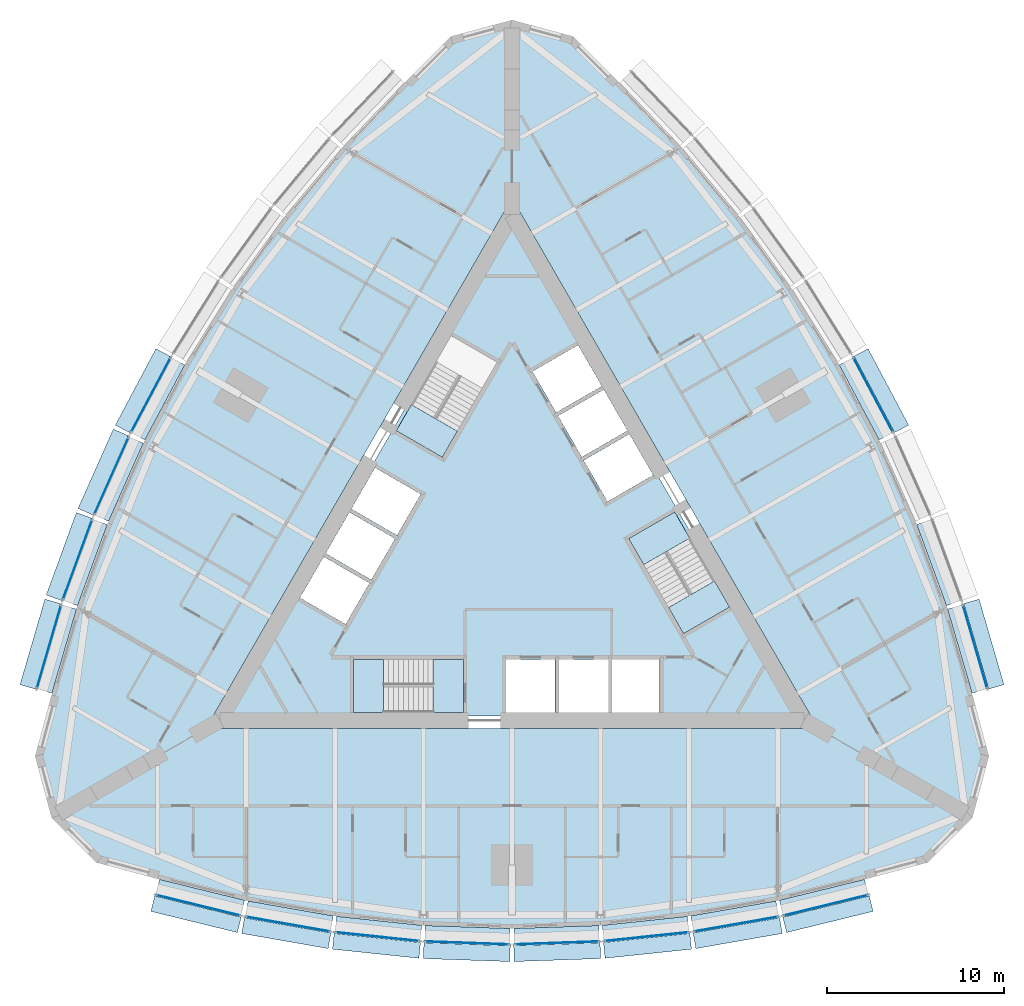
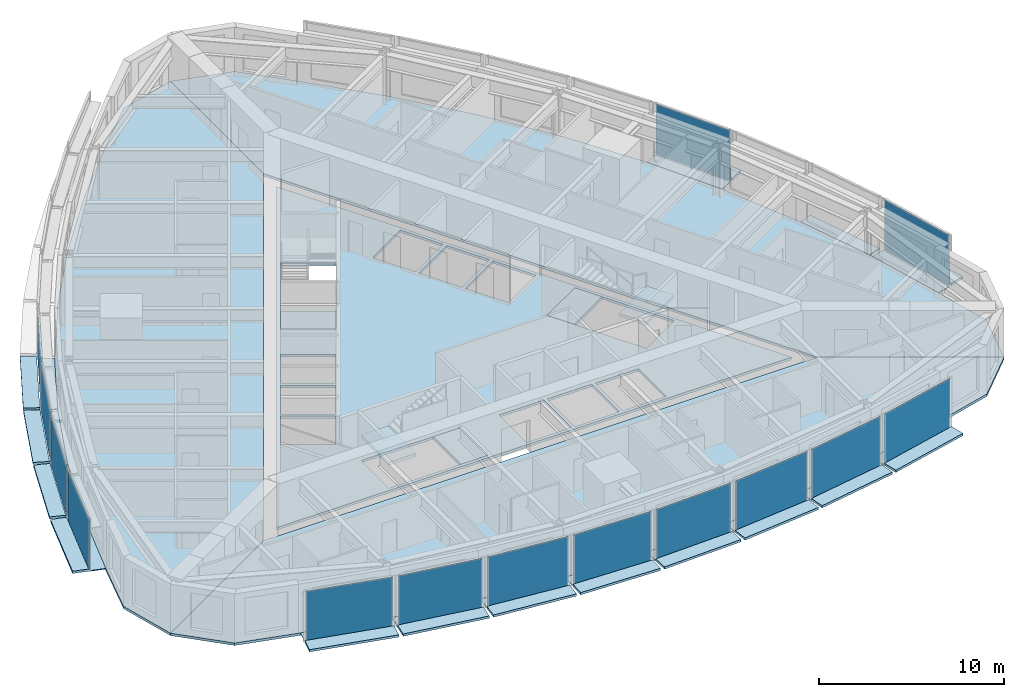
# One storey, part 6 of 14: 43 plates, 9 slabs, 17 elements without a shape of their own.
"""IFC4 building model written with IfcOpenShell, lengths in metres."""

import ifcopenshell
import ifcopenshell.guid

model = None  # the IFC model being written
_history = None  # IfcOwnerHistory: only IFC2X3 demands one
_inside = {}  # id of a spatial element -> (the spatial element, [elements in it])
_under = {}  # id of a project, library or spatial element -> (it, [spatial elements below it])
_declared = {}  # id of a project -> (the project, [libraries it declares])
_typed = {}  # id of a type object -> (the type object, [elements of that type])
_made_of = {}  # id of a material, layer set ... -> (it, [elements and type objects made of it])


def new_model(schema):
    """Start an empty IFC model of exactly this schema.

    Asked for "IFC4X3", IfcOpenShell would pick the latest addendum, in which some entities
    have other attributes; the version numbers below select the first issue.
    IFC2X3 requires an IfcOwnerHistory on every rooted entity: one is made here for all.
    """
    global model, _history
    if schema == "IFC4X3":
        model = ifcopenshell.file(schema_version=(4, 3, 0, 0))
    else:
        model = ifcopenshell.file(schema=schema)
    _inside.clear()
    _under.clear()
    _declared.clear()
    _typed.clear()
    _made_of.clear()
    _history = None
    if model.schema == "IFC2X3":
        org = make("IfcOrganization", Name="unknown")
        user = make(
            "IfcPersonAndOrganization",
            ThePerson=make("IfcPerson", FamilyName="unknown"),
            TheOrganization=org,
        )
        app = make(
            "IfcApplication",
            ApplicationDeveloper=org,
            Version="unknown",
            ApplicationFullName="unknown",
            ApplicationIdentifier="unknown",
        )
        _history = make(
            "IfcOwnerHistory",
            OwningUser=user,
            OwningApplication=app,
            ChangeAction="ADDED",
            CreationDate=0,
        )
    return model


def make(cls, **values):
    """One entity of the class cls with the attributes given. An attribute that is None is left unset."""
    return model.create_entity(
        cls, **{name: value for name, value in values.items() if value is not None}
    )


def rooted(cls, **values):
    """An entity with a GlobalId (a new one), such as an element, a storey or a relation."""
    return make(cls, GlobalId=ifcopenshell.guid.new(), OwnerHistory=_history, **values)


def si_unit(unit_type, name, prefix=None):
    """IfcSIUnit, for example si_unit("LENGTHUNIT", "METRE", prefix="MILLI")."""
    return make("IfcSIUnit", UnitType=unit_type, Prefix=prefix, Name=name)


def assignment(units):
    """IfcUnitAssignment: the units of a project."""
    return None if units is None else make("IfcUnitAssignment", Units=units)


def point(xyz):
    """IfcCartesianPoint."""
    return None if xyz is None else make("IfcCartesianPoint", Coordinates=xyz)


def direction(xyz):
    """IfcDirection."""
    return None if xyz is None else make("IfcDirection", DirectionRatios=xyz)


def frame(location, z_axis=None, x_axis=None):
    """IfcAxis2Placement3D, a coordinate frame: its origin and axes. An axis left out is left unset."""
    return make(
        "IfcAxis2Placement3D",
        Location=point(location),
        Axis=direction(z_axis),
        RefDirection=direction(x_axis),
    )


def frame_2d(location, x_axis=None):
    """IfcAxis2Placement2D, a coordinate frame in the plane: its origin and x axis."""
    return make(
        "IfcAxis2Placement2D", Location=point(location), RefDirection=direction(x_axis)
    )


def origin():
    """The frame at (0, 0, 0) with its axes left unset."""
    return frame((0.0, 0.0, 0.0))


def origin_2d():
    """The frame at (0, 0) in the plane with its x axis left unset."""
    return frame_2d((0.0, 0.0))


def place(relative_to, where):
    """IfcLocalPlacement: puts the frame where relative to a parent placement (None: the world)."""
    return make(
        "IfcLocalPlacement", PlacementRelTo=relative_to, RelativePlacement=where
    )


def context(
    kind, dimensions, precision=None, world=None, true_north=None, identifier=None
):
    """IfcGeometricRepresentationContext, for example the 3D "Model" context."""
    return make(
        "IfcGeometricRepresentationContext",
        ContextIdentifier=identifier,
        ContextType=kind,
        CoordinateSpaceDimension=dimensions,
        Precision=precision,
        WorldCoordinateSystem=world,
        TrueNorth=true_north,
    )


def subcontext(parent, identifier, kind, view, scale=None):
    """IfcGeometricRepresentationSubContext, for example "Body" below "Model"."""
    return make(
        "IfcGeometricRepresentationSubContext",
        ContextIdentifier=identifier,
        ContextType=kind,
        ParentContext=parent,
        TargetScale=scale,
        TargetView=view,
    )


def project(units=None, contexts=None):
    """IfcProject with its units and contexts."""
    return rooted(
        "IfcProject",
        Name="project",
        RepresentationContexts=contexts,
        UnitsInContext=assignment(units),
    )


def spatial(cls, under=None, at=None, **own):
    """A site, building, storey or space (cls), placed at a placement, below another one or the project."""
    s = rooted(cls, ObjectPlacement=at, **own)
    if under is not None:
        _under.setdefault(under.id(), (under, []))[1].append(s)
    return s


def polyline(points):
    """IfcPolyline through the points."""
    return make("IfcPolyline", Points=[point(p) for p in points])


def profile(cls, at=None, kind="AREA", **sizes):
    """A parametric profile (cls). Its sizes go by their IFC names, for example OverallWidth=200.0."""
    return make(cls, ProfileType=kind, Position=at, **sizes)


def rectangle(**sizes):
    """IfcRectangleProfileDef."""
    return profile("IfcRectangleProfileDef", **sizes)


def outline(outer, holes=None, kind="AREA"):
    """IfcArbitraryClosedProfileDef: a profile drawn as a closed curve; with holes, ...WithVoids."""
    if holes is None:
        return make("IfcArbitraryClosedProfileDef", ProfileType=kind, OuterCurve=outer)
    return make(
        "IfcArbitraryProfileDefWithVoids",
        ProfileType=kind,
        OuterCurve=outer,
        InnerCurves=holes,
    )


def extrude(swept, where, along, depth):
    """IfcExtrudedAreaSolid: the profile swept, set in the frame where, extruded along a direction by depth."""
    return make(
        "IfcExtrudedAreaSolid",
        SweptArea=swept,
        Position=where,
        ExtrudedDirection=direction(along),
        Depth=depth,
    )


def shape(context_of_items, identifier, shape_type, items):
    """IfcShapeRepresentation: the items that make up one representation, for example the "Body"."""
    return make(
        "IfcShapeRepresentation",
        ContextOfItems=context_of_items,
        RepresentationIdentifier=identifier,
        RepresentationType=shape_type,
        Items=items,
    )


def material(Name=None, Category=None):
    """IfcMaterial."""
    return make("IfcMaterial", Name=Name, Category=Category)


def layer(
    of_material, thickness, ventilated=None, Name=None, Category=None, Priority=None
):
    """IfcMaterialLayer: one layer of a wall or slab, of a material (None: an air gap)."""
    return make(
        "IfcMaterialLayer",
        Material=of_material,
        LayerThickness=thickness,
        IsVentilated=ventilated,
        Name=Name,
        Category=Category,
        Priority=Priority,
    )


def layer_set(layers, Name=None):
    """IfcMaterialLayerSet."""
    return make("IfcMaterialLayerSet", MaterialLayers=layers, LayerSetName=Name)


def made_of(thing, what):
    """Note that an element or type object is made of a material, layer set ...; save() writes the relation."""
    if what is not None:
        _made_of.setdefault(what.id(), (what, []))[1].append(thing)
    return thing


def type_object(cls, material=None, **own):
    """A type object (cls), such as IfcWallType, which elements share."""
    return made_of(rooted(cls, **own), material)


def element(
    cls,
    number,
    at=None,
    inside=None,
    cuts=None,
    type_object=None,
    material=None,
    context=None,
    identifier="Body",
    shape_type=None,
    held_by="IfcProductDefinitionShape",
    body=None,
    shapes=None,
    **own,
):
    """One element of the class cls, such as IfcWall. Its Tag is "e" and its number.

    at: its placement. inside: the storey or other place that contains it. cuts: it is an
    opening in that element (IfcRelVoidsElement). A single representation is given by context,
    identifier, shape_type and body (its items); several are given by shapes. held_by: the class
    of the entity that holds the representations. save() writes the other relations.
    """
    e = rooted(cls, Tag="e%d" % number, ObjectPlacement=at, **own)
    if body is not None:
        shapes = [shape(context, identifier, shape_type, body)]
    if shapes is not None:
        e.Representation = make(held_by, Representations=shapes)
    if inside is not None:
        _inside.setdefault(inside.id(), (inside, []))[1].append(e)
    if cuts is not None:
        rooted(
            "IfcRelVoidsElement", RelatingBuildingElement=cuts, RelatedOpeningElement=e
        )
    if type_object is not None:
        _typed.setdefault(type_object.id(), (type_object, []))[1].append(e)
    return made_of(e, material)


def aggregate(whole, parts):
    """IfcRelAggregates: a whole, such as a stair, and the parts it consists of."""
    return rooted("IfcRelAggregates", RelatingObject=whole, RelatedObjects=parts)


def save(model, path):
    """Write the relations noted so far, then the file.

    IfcRelAggregates (storeys below a building ...), IfcRelContainedInSpatialStructure (elements
    in a storey), IfcRelDefinesByType, IfcRelAssociatesMaterial and IfcRelDeclares: one each for
    every whole, place, type object, material and project.
    """
    for whole, parts in _under.values():
        aggregate(whole, parts)
    for where, things in _inside.values():
        rooted(
            "IfcRelContainedInSpatialStructure",
            RelatedElements=things,
            RelatingStructure=where,
        )
    for kind, things in _typed.values():
        rooted("IfcRelDefinesByType", RelatedObjects=things, RelatingType=kind)
    for what, things in _made_of.values():
        rooted("IfcRelAssociatesMaterial", RelatedObjects=things, RelatingMaterial=what)
    for by, libraries in _declared.values():
        rooted("IfcRelDeclares", RelatingContext=by, RelatedDefinitions=libraries)
    model.write(path)


model = new_model("IFC4")

# Units and contexts
model_context = context("Model", 3, precision=1e-05, world=origin(), true_north=direction((0.0, 1.0)))
body_context = subcontext(model_context, "Body", "Model", "MODEL_VIEW")
ifc_project = project(units=[si_unit("LENGTHUNIT", "METRE"), si_unit("AREAUNIT", "SQUARE_METRE"), si_unit("VOLUMEUNIT", "CUBIC_METRE"), si_unit("PLANEANGLEUNIT", "RADIAN"), si_unit("MASSUNIT", "GRAM", prefix="KILO")], contexts=[model_context])

# Site, building, storey
site_placement = place(None, origin())
site = spatial("IfcSite", under=ifc_project, at=site_placement, CompositionType="ELEMENT")
building_placement = place(site_placement, origin())
building = spatial("IfcBuilding", under=site, at=building_placement, Name="Trikona Tower", CompositionType="ELEMENT")
storey_placement = place(building_placement, frame((0.0, 0.0, 169.10009765625)))
storey = spatial("IfcBuildingStorey", under=building, at=storey_placement, Name="L45", CompositionType="ELEMENT", Elevation=169.10009765625)

# Plates
ifc_material_1 = material(Name="Aluminium bar grating", Category="aluminium")
ifc_layer_1 = layer(ifc_material_1, 0.050048828125)
ifc_layer_set_1 = layer_set([ifc_layer_1], Name="Cavity catwalk grating")
plate_type_1 = type_object("IfcPlateType", Name="Cavity catwalk grating", PredefinedType="USERDEFINED", material=ifc_layer_set_1)
plate_1_placement = place(storey_placement, frame((-17.598876953125, -19.49072265625, -0.05029296875), z_axis=(0.0, 0.0, 1.0), x_axis=(0.971274411564, -0.237962218516, 0.0)))
element("IfcPlate", 1, at=plate_1_placement, inside=storey, type_object=plate_type_1, Name="Cavity catwalk L45-00", ObjectType="CATWALK GRATING", PredefinedType="USERDEFINED", context=body_context, shape_type="SweptSolid", body=[
    extrude(rectangle(XDim=4.947998046875, YDim=0.830078125, at=origin_2d()), origin(), (0.0, 0.0, 1.0), 0.050048828125),
])
plate_2_placement = place(storey_placement, frame((-12.571533203125, -20.54638671875, -0.05029296875), z_axis=(0.0, 0.0, 1.0), x_axis=(0.985030604067, -0.172379549401, 0.0)))
element("IfcPlate", 2, at=plate_2_placement, inside=storey, type_object=plate_type_1, Name="Cavity catwalk L45-01", ObjectType="CATWALK GRATING", PredefinedType="USERDEFINED", context=body_context, shape_type="SweptSolid", body=[
    extrude(rectangle(XDim=4.8759765625, YDim=0.830078125, at=origin_2d()), origin(), (0.0, 0.0, 1.0), 0.050048828125),
])
plate_3_placement = place(storey_placement, frame((-7.543212890625, -21.25048828125, -0.05029296875), z_axis=(0.0, 0.0, 1.0), x_axis=(0.994532653854, -0.104426052392, 0.0)))
element("IfcPlate", 3, at=plate_3_placement, inside=storey, type_object=plate_type_1, Name="Cavity catwalk L45-02", ObjectType="CATWALK GRATING", PredefinedType="USERDEFINED", context=body_context, shape_type="SweptSolid", body=[
    extrude(rectangle(XDim=4.827392578125, YDim=0.830078125, at=origin_2d()), origin(), (0.0, 0.0, 1.0), 0.050048828125),
])
for number, where, z_axis, x_axis, name in (
    (4, (-2.514404296875, -21.602294921875, -0.05029296875), (0.0, 0.0, 1.0), (0.999388082937, -0.034977988567, 0.0), "Cavity catwalk L45-03"),
    (5, (2.514404296875, -21.602294921875, -0.05029296875), (0.0, 0.0, 1.0), (0.999388082937, 0.034977988567, 0.0), "Cavity catwalk L45-04"),
):
    element("IfcPlate", number, at=place(storey_placement, frame(where, z_axis=z_axis, x_axis=x_axis)), inside=storey, type_object=plate_type_1, Name=name, ObjectType="CATWALK GRATING", PredefinedType="USERDEFINED", context=body_context, shape_type="SweptSolid", body=[
        extrude(rectangle(XDim=4.802978515625, YDim=0.830078125, at=origin_2d()), origin(), (0.0, 0.0, 1.0), 0.050048828125),
    ])
plate_4_placement = place(storey_placement, frame((7.543212890625, -21.25048828125, -0.05029296875), z_axis=(0.0, 0.0, 1.0), x_axis=(0.994532653854, 0.104426052392, 0.0)))
element("IfcPlate", 6, at=plate_4_placement, inside=storey, type_object=plate_type_1, Name="Cavity catwalk L45-05", ObjectType="CATWALK GRATING", PredefinedType="USERDEFINED", context=body_context, shape_type="SweptSolid", body=[
    extrude(rectangle(XDim=4.827392578125, YDim=0.830078125, at=origin_2d()), origin(), (0.0, 0.0, 1.0), 0.050048828125),
])
plate_5_placement = place(storey_placement, frame((12.571533203125, -20.54638671875, -0.05029296875), z_axis=(0.0, 0.0, 1.0), x_axis=(0.985030604067, 0.172379549401, 0.0)))
element("IfcPlate", 7, at=plate_5_placement, inside=storey, type_object=plate_type_1, Name="Cavity catwalk L45-06", ObjectType="CATWALK GRATING", PredefinedType="USERDEFINED", context=body_context, shape_type="SweptSolid", body=[
    extrude(rectangle(XDim=4.8759765625, YDim=0.830078125, at=origin_2d()), origin(), (0.0, 0.0, 1.0), 0.050048828125),
])
plate_6_placement = place(storey_placement, frame((17.598876953125, -19.49072265625, -0.05029296875), z_axis=(0.0, 0.0, 1.0), x_axis=(0.971274411564, 0.237962218516, 0.0)))
element("IfcPlate", 8, at=plate_6_placement, inside=storey, type_object=plate_type_1, Name="Cavity catwalk L45-07", ObjectType="CATWALK GRATING", PredefinedType="USERDEFINED", context=body_context, shape_type="SweptSolid", body=[
    extrude(rectangle(XDim=4.947998046875, YDim=0.830078125, at=origin_2d()), origin(), (0.0, 0.0, 1.0), 0.050048828125),
])
plate_7_placement = place(storey_placement, frame((25.678955078125, -5.49560546875, -0.05029296875), z_axis=(0.0, 0.0, 1.0), x_axis=(-0.279554203664, 0.960129911634, 0.0)))
element("IfcPlate", 9, at=plate_7_placement, inside=storey, type_object=plate_type_1, Name="Cavity catwalk L45-12", ObjectType="CATWALK GRATING", PredefinedType="USERDEFINED", context=body_context, shape_type="SweptSolid", body=[
    extrude(rectangle(XDim=4.94775390625, YDim=0.830078125, at=origin_2d()), origin(), (0.0, 0.0, 1.0), 0.050048828125),
])
plate_8_placement = place(storey_placement, frame((24.07958984375, -0.614013671875, -0.05029296875), z_axis=(0.0, 0.0, 1.0), x_axis=(-0.343220397324, 0.939254895575, 0.0)))
element("IfcPlate", 10, at=plate_8_placement, inside=storey, type_object=plate_type_1, Name="Cavity catwalk L45-13", ObjectType="CATWALK GRATING", PredefinedType="USERDEFINED", context=body_context, shape_type="SweptSolid", body=[
    extrude(rectangle(XDim=4.8759765625, YDim=0.830078125, at=origin_2d()), origin(), (0.0, 0.0, 1.0), 0.050048828125),
])
for number, where, z_axis, x_axis, name in (
    (11, (19.965576171875, 8.62353515625, -0.05029296875), (0.0, 0.0, 1.0), (-0.469397591494, 0.882986920118, 0.0), "Cavity catwalk L45-15"),
    (12, (-19.965576171875, 8.62353515625, -0.05029296875), (0.0, 0.0, 1.0), (-0.469397591494, -0.882986920118, 0.0), "Cavity catwalk L45-28"),
):
    element("IfcPlate", number, at=place(storey_placement, frame(where, z_axis=z_axis, x_axis=x_axis)), inside=storey, type_object=plate_type_1, Name=name, ObjectType="CATWALK GRATING", PredefinedType="USERDEFINED", context=body_context, shape_type="SweptSolid", body=[
        extrude(rectangle(XDim=4.802978515625, YDim=0.830078125, at=origin_2d()), origin(), (0.0, 0.0, 1.0), 0.050048828125),
    ])
plate_9_placement = place(storey_placement, frame((-22.175048828125, 4.092529296875, -0.05029296875), z_axis=(0.0, 0.0, 1.0), x_axis=(-0.406843467615, -0.913497888809, 0.0)))
element("IfcPlate", 13, at=plate_9_placement, inside=storey, type_object=plate_type_1, Name="Cavity catwalk L45-29", ObjectType="CATWALK GRATING", PredefinedType="USERDEFINED", context=body_context, shape_type="SweptSolid", body=[
    extrude(rectangle(XDim=4.827392578125, YDim=0.830078125, at=origin_2d()), origin(), (0.0, 0.0, 1.0), 0.050048828125),
])
plate_10_placement = place(storey_placement, frame((-24.07958984375, -0.614013671875, -0.05029296875), z_axis=(0.0, 0.0, 1.0), x_axis=(-0.343220397324, -0.939254895575, 0.0)))
element("IfcPlate", 14, at=plate_10_placement, inside=storey, type_object=plate_type_1, Name="Cavity catwalk L45-30", ObjectType="CATWALK GRATING", PredefinedType="USERDEFINED", context=body_context, shape_type="SweptSolid", body=[
    extrude(rectangle(XDim=4.8759765625, YDim=0.830078125, at=origin_2d()), origin(), (0.0, 0.0, 1.0), 0.050048828125),
])
plate_11_placement = place(storey_placement, frame((-25.678955078125, -5.49560546875, -0.05029296875), z_axis=(0.0, 0.0, 1.0), x_axis=(-0.279554203664, -0.960129911634, 0.0)))
element("IfcPlate", 15, at=plate_11_placement, inside=storey, type_object=plate_type_1, Name="Cavity catwalk L45-31", ObjectType="CATWALK GRATING", PredefinedType="USERDEFINED", context=body_context, shape_type="SweptSolid", body=[
    extrude(rectangle(XDim=4.94775390625, YDim=0.830078125, at=origin_2d()), origin(), (0.0, 0.0, 1.0), 0.050048828125),
])

# Slabs
ifc_material_2 = material(Name="Concrete f'c 5000 psi lightweight on composite steel deck", Category="concrete")
ifc_layer_2 = layer(ifc_material_2, 0.1650390625)
ifc_layer_set_2 = layer_set([ifc_layer_2], Name="Composite floor slab 165")
slab_type_1 = type_object("IfcSlabType", Name="Composite floor slab 165", PredefinedType="FLOOR", material=ifc_layer_set_2)
slab_1_placement = place(storey_placement, frame((0.0, 0.0, -0.1650390625)))
element("IfcSlab", 16, at=slab_1_placement, inside=storey, type_object=slab_type_1, Name="Floor slab L45 core", PredefinedType="FLOOR", context=body_context, shape_type="SweptSolid", body=[
    extrude(outline(polyline([(-16.06689453125, -9.2763671875), (16.06689453125, -9.2763671875), (0.0, 18.552490234375), (-16.06689453125, -9.2763671875)]), holes=[polyline([(12.285400390625, -3.126220703125), (9.185302734375, 2.2431640625), (6.587158203125, 0.7431640625), (9.687255859375, -4.626220703125), (12.285400390625, -3.126220703125)]), polyline([(8.340087890625, -9.06640625), (8.340087890625, -6.086181640625), (5.659912109375, -6.086181640625), (5.659912109375, -9.06640625), (8.340087890625, -9.06640625)]), polyline([(5.390869140625, 2.835205078125), (7.9716796875, 4.3251953125), (6.631591796875, 6.646240234375), (4.05078125, 5.15625), (5.390869140625, 2.835205078125)]), polyline([(2.600830078125, 7.667724609375), (3.94091796875, 5.3466796875), (6.521484375, 6.8369140625), (5.181640625, 9.15771484375), (2.600830078125, 7.667724609375)]), polyline([(5.43994140625, -6.086181640625), (2.659912109375, -6.086181640625), (2.659912109375, -9.06640625), (5.43994140625, -9.06640625), (5.43994140625, -6.086181640625)]), polyline([(3.731689453125, 11.669189453125), (1.15087890625, 10.17919921875), (2.490966796875, 7.858154296875), (5.071533203125, 9.34814453125), (3.731689453125, 11.669189453125)]), polyline([(-0.340087890625, -6.086181640625), (-0.340087890625, -9.06640625), (2.43994140625, -9.06640625), (2.43994140625, -6.086181640625), (-0.340087890625, -6.086181640625)]), polyline([(-3.435302734375, 12.202392578125), (-6.535400390625, 6.8330078125), (-3.937255859375, 5.3330078125), (-0.837158203125, 10.702392578125), (-3.435302734375, 12.202392578125)]), polyline([(-8.949951171875, -9.076416015625), (-2.75, -9.076416015625), (-2.75, -6.076416015625), (-8.949951171875, -6.076416015625), (-8.949951171875, -9.076416015625)]), polyline([(-5.15087890625, 3.2509765625), (-7.731689453125, 4.740966796875), (-9.071533203125, 2.419921875), (-6.490966796875, 0.929931640625), (-5.15087890625, 3.2509765625)]), polyline([(-7.94091796875, -1.581298828125), (-6.600830078125, 0.739501953125), (-9.181640625, 2.2294921875), (-10.521484375, -0.09130859375), (-7.94091796875, -1.581298828125)]), polyline([(-11.9716796875, -2.602783203125), (-9.390869140625, -4.093017578125), (-8.05078125, -1.77197265625), (-10.631591796875, -0.281982421875), (-11.9716796875, -2.602783203125)])]), origin(), (0.0, 0.0, 1.0), 0.1650390625),
])
slab_2_placement = place(storey_placement, frame((0.0, 0.0, -0.1650390625)))
element("IfcSlab", 17, at=slab_2_placement, inside=storey, type_object=slab_type_1, Name="Floor slab L45 south", PredefinedType="FLOOR", context=body_context, shape_type="SweptSolid", body=[
    extrude(outline(polyline([(23.464111328125, -17.547119140625), (26.0, -15.010986328125), (17.279296875, -9.976318359375), (-17.279296875, -9.976318359375), (-26.0, -15.010986328125), (-23.464111328125, -17.547119140625), (-20.0, -18.47509765625), (-15.0, -19.7001953125), (-10.0, -20.5751953125), (-5.0, -21.10009765625), (0.0, -21.275146484375), (5.0, -21.10009765625), (10.0, -20.5751953125), (15.0, -19.7001953125), (20.0, -18.47509765625), (23.464111328125, -17.547119140625)])), origin(), (0.0, 0.0, 1.0), 0.1650390625),
])
slab_3_placement = place(storey_placement, frame((0.0, 0.0, -0.1650390625)))
element("IfcSlab", 18, at=slab_3_placement, inside=storey, type_object=slab_type_1, Name="Floor slab L45 north-east", PredefinedType="FLOOR", context=body_context, shape_type="SweptSolid", body=[
    extrude(outline(polyline([(3.464111328125, 29.093994140625), (0.0, 30.022216796875), (0.0, 19.95263671875), (17.279296875, -9.976318359375), (26.0, -15.010986328125), (26.92822265625, -11.547119140625), (26.0, -8.0830078125), (24.560791015625, -3.140380859375), (22.818603515625, 1.62744140625), (20.773193359375, 6.219970703125), (18.4248046875, 10.6376953125), (15.773193359375, 14.880126953125), (12.818603515625, 18.947998046875), (9.560791015625, 22.840576171875), (6.0, 26.55810546875), (3.464111328125, 29.093994140625)])), origin(), (0.0, 0.0, 1.0), 0.1650390625),
])
slab_4_placement = place(storey_placement, frame((0.0, 0.0, -0.1650390625)))
element("IfcSlab", 19, at=slab_4_placement, inside=storey, type_object=slab_type_1, Name="Floor slab L45 north-west", PredefinedType="FLOOR", context=body_context, shape_type="SweptSolid", body=[
    extrude(outline(polyline([(0.0, 19.95263671875), (0.0, 30.022216796875), (-3.464111328125, 29.093994140625), (-6.0, 26.55810546875), (-9.560791015625, 22.840576171875), (-12.818603515625, 18.947998046875), (-15.773193359375, 14.880126953125), (-18.4248046875, 10.6376953125), (-20.773193359375, 6.219970703125), (-22.818603515625, 1.62744140625), (-24.560791015625, -3.140380859375), (-26.0, -8.0830078125), (-26.92822265625, -11.547119140625), (-26.0, -15.010986328125), (-17.279296875, -9.976318359375), (0.0, 19.95263671875)])), origin(), (0.0, 0.0, 1.0), 0.1650390625),
])

# Curtain wall, plate
ifc_material_3 = material(Name="Aluminium curtain wall system", Category="aluminium")
curtain_wall_type = type_object("IfcCurtainWallType", Name="Curtain wall DS2", PredefinedType="NOTDEFINED", material=ifc_material_3)
curtain_wall_1_placement = place(storey_placement, origin())
curtain_wall_1 = element("IfcCurtainWall", 20, at=curtain_wall_1_placement, inside=storey, type_object=curtain_wall_type, Name="Curtain wall DS2 L45", PredefinedType="NOTDEFINED")
ifc_material_4 = material(Name="Laminated clear glass", Category="glass")
ifc_layer_3 = layer(ifc_material_4, 0.028076171875)
ifc_layer_set_3 = layer_set([ifc_layer_3], Name="Glass panel DS2")
plate_type_2 = type_object("IfcPlateType", Name="Glass panel DS2", PredefinedType="CURTAIN_PANEL", material=ifc_layer_set_3)
plate_12_placement = place(storey_placement, frame((-17.714111328125, -19.9619140625, 0.0), z_axis=(0.0, 0.0, 1.0), x_axis=(0.971272455026, -0.237970204243, 0.0)))
plate_12 = element("IfcPlate", 21, at=plate_12_placement, type_object=plate_type_2, Name="CW-DS2 panel 1.1", PredefinedType="CURTAIN_PANEL", context=body_context, shape_type="SweptSolid", body=[
    extrude(rectangle(XDim=4.867919921875, YDim=0.028076171875, at=origin_2d()), origin(), (0.0, 0.0, 1.0), 3.320068359375),
])
aggregate(curtain_wall_1, [plate_12])

curtain_wall_2_placement = place(storey_placement, origin())
curtain_wall_2 = element("IfcCurtainWall", 22, at=curtain_wall_2_placement, inside=storey, type_object=curtain_wall_type, Name="Curtain wall DS2 L45", PredefinedType="NOTDEFINED")
plate_13_placement = place(storey_placement, frame((-12.655029296875, -21.024169921875, 0.0), z_axis=(0.0, 0.0, 1.0), x_axis=(0.985030981074, -0.17237739505, 0.0)))
plate_13 = element("IfcPlate", 23, at=plate_13_placement, type_object=plate_type_2, Name="CW-DS2 panel 1.1", PredefinedType="CURTAIN_PANEL", context=body_context, shape_type="SweptSolid", body=[
    extrude(rectangle(XDim=4.7958984375, YDim=0.028076171875, at=origin_2d()), origin(), (0.0, 0.0, 1.0), 3.320068359375),
])
aggregate(curtain_wall_2, [plate_13])

curtain_wall_3_placement = place(storey_placement, origin())
curtain_wall_3 = element("IfcCurtainWall", 24, at=curtain_wall_3_placement, inside=storey, type_object=curtain_wall_type, Name="Curtain wall DS2 L45", PredefinedType="NOTDEFINED")
plate_14_placement = place(storey_placement, frame((-7.593994140625, -21.732666015625, 0.0), z_axis=(0.0, 0.0, 1.0), x_axis=(0.994531883654, -0.104433387357, 0.0)))
plate_14 = element("IfcPlate", 25, at=plate_14_placement, type_object=plate_type_2, Name="CW-DS2 panel 1.1", PredefinedType="CURTAIN_PANEL", context=body_context, shape_type="SweptSolid", body=[
    extrude(rectangle(XDim=4.747314453125, YDim=0.028076171875, at=origin_2d()), origin(), (0.0, 0.0, 1.0), 3.320068359375),
])
aggregate(curtain_wall_3, [plate_14])

curtain_wall_4_placement = place(storey_placement, origin())
curtain_wall_4 = element("IfcCurtainWall", 26, at=curtain_wall_4_placement, inside=storey, type_object=curtain_wall_type, Name="Curtain wall DS2 L45", PredefinedType="NOTDEFINED")
plate_15_placement = place(storey_placement, frame((-2.531494140625, -22.087158203125, 0.0), z_axis=(0.0, 0.0, 1.0), x_axis=(0.99938737114, -0.034998320052, 0.0)))
plate_15 = element("IfcPlate", 27, at=plate_15_placement, type_object=plate_type_2, Name="CW-DS2 panel 1.1", PredefinedType="CURTAIN_PANEL", context=body_context, shape_type="SweptSolid", body=[
    extrude(rectangle(XDim=4.72314453125, YDim=0.028076171875, at=origin_2d()), origin(), (0.0, 0.0, 1.0), 3.320068359375),
])
aggregate(curtain_wall_4, [plate_15])

curtain_wall_5_placement = place(storey_placement, origin())
curtain_wall_5 = element("IfcCurtainWall", 28, at=curtain_wall_5_placement, inside=storey, type_object=curtain_wall_type, Name="Curtain wall DS2 L45", PredefinedType="NOTDEFINED")
plate_16_placement = place(storey_placement, frame((2.531494140625, -22.087158203125, 0.0), z_axis=(0.0, 0.0, 1.0), x_axis=(0.99938737114, 0.034998320052, 0.0)))
plate_16 = element("IfcPlate", 29, at=plate_16_placement, type_object=plate_type_2, Name="CW-DS2 panel 1.1", PredefinedType="CURTAIN_PANEL", context=body_context, shape_type="SweptSolid", body=[
    extrude(rectangle(XDim=4.72314453125, YDim=0.028076171875, at=origin_2d()), origin(), (0.0, 0.0, 1.0), 3.320068359375),
])
aggregate(curtain_wall_5, [plate_16])

curtain_wall_6_placement = place(storey_placement, origin())
curtain_wall_6 = element("IfcCurtainWall", 30, at=curtain_wall_6_placement, inside=storey, type_object=curtain_wall_type, Name="Curtain wall DS2 L45", PredefinedType="NOTDEFINED")
plate_17_placement = place(storey_placement, frame((7.593994140625, -21.732666015625, 0.0), z_axis=(0.0, 0.0, 1.0), x_axis=(0.994531883654, 0.104433387357, 0.0)))
plate_17 = element("IfcPlate", 31, at=plate_17_placement, type_object=plate_type_2, Name="CW-DS2 panel 1.1", PredefinedType="CURTAIN_PANEL", context=body_context, shape_type="SweptSolid", body=[
    extrude(rectangle(XDim=4.747314453125, YDim=0.028076171875, at=origin_2d()), origin(), (0.0, 0.0, 1.0), 3.320068359375),
])
aggregate(curtain_wall_6, [plate_17])

curtain_wall_7_placement = place(storey_placement, origin())
curtain_wall_7 = element("IfcCurtainWall", 32, at=curtain_wall_7_placement, inside=storey, type_object=curtain_wall_type, Name="Curtain wall DS2 L45", PredefinedType="NOTDEFINED")
plate_18_placement = place(storey_placement, frame((12.655029296875, -21.024169921875, 0.0), z_axis=(0.0, 0.0, 1.0), x_axis=(0.985030981074, 0.17237739505, 0.0)))
plate_18 = element("IfcPlate", 33, at=plate_18_placement, type_object=plate_type_2, Name="CW-DS2 panel 1.1", PredefinedType="CURTAIN_PANEL", context=body_context, shape_type="SweptSolid", body=[
    extrude(rectangle(XDim=4.7958984375, YDim=0.028076171875, at=origin_2d()), origin(), (0.0, 0.0, 1.0), 3.320068359375),
])
aggregate(curtain_wall_7, [plate_18])

curtain_wall_8_placement = place(storey_placement, origin())
curtain_wall_8 = element("IfcCurtainWall", 34, at=curtain_wall_8_placement, inside=storey, type_object=curtain_wall_type, Name="Curtain wall DS2 L45", PredefinedType="NOTDEFINED")
plate_19_placement = place(storey_placement, frame((17.714111328125, -19.9619140625, 0.0), z_axis=(0.0, 0.0, 1.0), x_axis=(0.971272455026, 0.237970204243, 0.0)))
plate_19 = element("IfcPlate", 35, at=plate_19_placement, type_object=plate_type_2, Name="CW-DS2 panel 1.1", PredefinedType="CURTAIN_PANEL", context=body_context, shape_type="SweptSolid", body=[
    extrude(rectangle(XDim=4.867919921875, YDim=0.028076171875, at=origin_2d()), origin(), (0.0, 0.0, 1.0), 3.320068359375),
])
aggregate(curtain_wall_8, [plate_19])

curtain_wall_9_placement = place(storey_placement, origin())
curtain_wall_9 = element("IfcCurtainWall", 36, at=curtain_wall_9_placement, inside=storey, type_object=curtain_wall_type, Name="Curtain wall DS2 L45", PredefinedType="NOTDEFINED")
plate_20_placement = place(storey_placement, frame((26.14453125, -5.360107421875, 0.0), z_axis=(0.0, 0.0, 1.0), x_axis=(-0.279543247757, 0.96013310152, 0.0)))
plate_20 = element("IfcPlate", 37, at=plate_20_placement, type_object=plate_type_2, Name="CW-DS2 panel 1.1", PredefinedType="CURTAIN_PANEL", context=body_context, shape_type="SweptSolid", body=[
    extrude(rectangle(XDim=4.867919921875, YDim=0.028076171875, at=origin_2d()), origin(), (0.0, 0.0, 1.0), 3.320068359375),
])
aggregate(curtain_wall_9, [plate_20])

curtain_wall_10_placement = place(storey_placement, origin())
curtain_wall_10 = element("IfcCurtainWall", 38, at=curtain_wall_10_placement, inside=storey, type_object=curtain_wall_type, Name="Curtain wall DS2 L45", PredefinedType="NOTDEFINED")
plate_21_placement = place(storey_placement, frame((20.393798828125, 8.851318359375, 0.0), z_axis=(0.0, 0.0, 1.0), x_axis=(-0.469380308937, 0.882996107343, 0.0)))
plate_21 = element("IfcPlate", 39, at=plate_21_placement, type_object=plate_type_2, Name="CW-DS2 panel 1.1", PredefinedType="CURTAIN_PANEL", context=body_context, shape_type="SweptSolid", body=[
    extrude(rectangle(XDim=4.72314453125, YDim=0.028076171875, at=origin_2d()), origin(), (0.0, 0.0, 1.0), 3.320068359375),
])
aggregate(curtain_wall_10, [plate_21])

curtain_wall_11_placement = place(storey_placement, origin())
curtain_wall_11 = element("IfcCurtainWall", 40, at=curtain_wall_11_placement, inside=storey, type_object=curtain_wall_type, Name="Curtain wall DS2 L45", PredefinedType="NOTDEFINED")
plate_22_placement = place(storey_placement, frame((-20.393798828125, 8.851318359375, 0.0), z_axis=(0.0, 0.0, 1.0), x_axis=(-0.469380308937, -0.882996107343, 0.0)))
plate_22 = element("IfcPlate", 41, at=plate_22_placement, type_object=plate_type_2, Name="CW-DS2 panel 1.1", PredefinedType="CURTAIN_PANEL", context=body_context, shape_type="SweptSolid", body=[
    extrude(rectangle(XDim=4.72314453125, YDim=0.028076171875, at=origin_2d()), origin(), (0.0, 0.0, 1.0), 3.320068359375),
])
aggregate(curtain_wall_11, [plate_22])

curtain_wall_12_placement = place(storey_placement, origin())
curtain_wall_12 = element("IfcCurtainWall", 42, at=curtain_wall_12_placement, inside=storey, type_object=curtain_wall_type, Name="Curtain wall DS2 L45", PredefinedType="NOTDEFINED")
plate_23_placement = place(storey_placement, frame((-22.6181640625, 4.289794921875, 0.0), z_axis=(0.0, 0.0, 1.0), x_axis=(-0.406836013132, -0.913501208767, 0.0)))
plate_23 = element("IfcPlate", 43, at=plate_23_placement, type_object=plate_type_2, Name="CW-DS2 panel 1.1", PredefinedType="CURTAIN_PANEL", context=body_context, shape_type="SweptSolid", body=[
    extrude(rectangle(XDim=4.747314453125, YDim=0.028076171875, at=origin_2d()), origin(), (0.0, 0.0, 1.0), 3.320068359375),
])
aggregate(curtain_wall_12, [plate_23])

curtain_wall_13_placement = place(storey_placement, origin())
curtain_wall_13 = element("IfcCurtainWall", 44, at=curtain_wall_13_placement, inside=storey, type_object=curtain_wall_type, Name="Curtain wall DS2 L45", PredefinedType="NOTDEFINED")
plate_24_placement = place(storey_placement, frame((-24.53515625, -0.447509765625, 0.0), z_axis=(0.0, 0.0, 1.0), x_axis=(-0.343223420143, -0.939253790978, 0.0)))
plate_24 = element("IfcPlate", 45, at=plate_24_placement, type_object=plate_type_2, Name="CW-DS2 panel 1.1", PredefinedType="CURTAIN_PANEL", context=body_context, shape_type="SweptSolid", body=[
    extrude(rectangle(XDim=4.7958984375, YDim=0.028076171875, at=origin_2d()), origin(), (0.0, 0.0, 1.0), 3.320068359375),
])
aggregate(curtain_wall_13, [plate_24])

curtain_wall_14_placement = place(storey_placement, origin())
curtain_wall_14 = element("IfcCurtainWall", 46, at=curtain_wall_14_placement, inside=storey, type_object=curtain_wall_type, Name="Curtain wall DS2 L45", PredefinedType="NOTDEFINED")
plate_25_placement = place(storey_placement, frame((-26.14453125, -5.360107421875, 0.0), z_axis=(0.0, 0.0, 1.0), x_axis=(-0.279543247757, -0.96013310152, 0.0)))
plate_25 = element("IfcPlate", 47, at=plate_25_placement, type_object=plate_type_2, Name="CW-DS2 panel 1.1", PredefinedType="CURTAIN_PANEL", context=body_context, shape_type="SweptSolid", body=[
    extrude(rectangle(XDim=4.867919921875, YDim=0.028076171875, at=origin_2d()), origin(), (0.0, 0.0, 1.0), 3.320068359375),
])
aggregate(curtain_wall_14, [plate_25])

# Plates
ifc_material_5 = material(Name="Aluminium plate fin, pale anodised, on stainless steel outriggers", Category="steel")
ifc_layer_4 = layer(ifc_material_5, 0.14990234375)
ifc_layer_set_4 = layer_set([ifc_layer_4], Name="Outer skin fin 900")
plate_type_3 = type_object("IfcPlateType", Name="Outer skin fin 900", PredefinedType="USERDEFINED", material=ifc_layer_set_4)
plate_26_placement = place(storey_placement, frame((-17.837890625, -20.466796875, 0.0), z_axis=(0.0, 0.0, 1.0), x_axis=(0.971274411564, -0.237962218516, 0.0)))
element("IfcPlate", 48, at=plate_26_placement, inside=storey, type_object=plate_type_3, Name="Outer skin fin L45-00", ObjectType="FIN", PredefinedType="USERDEFINED", context=body_context, shape_type="SweptSolid", body=[
    extrude(rectangle(XDim=5.02783203125, YDim=0.89990234375, at=origin_2d()), origin(), (0.0, 0.0, 1.0), 0.14990234375),
])
plate_27_placement = place(storey_placement, frame((-12.744873046875, -21.536376953125, 0.0), z_axis=(0.0, 0.0, 1.0), x_axis=(0.985030604067, -0.172379549401, 0.0)))
element("IfcPlate", 49, at=plate_27_placement, inside=storey, type_object=plate_type_3, Name="Outer skin fin L45-01", ObjectType="FIN", PredefinedType="USERDEFINED", context=body_context, shape_type="SweptSolid", body=[
    extrude(rectangle(XDim=4.9560546875, YDim=0.89990234375, at=origin_2d()), origin(), (0.0, 0.0, 1.0), 0.14990234375),
])
plate_28_placement = place(storey_placement, frame((-7.648193359375, -22.25, 0.0), z_axis=(0.0, 0.0, 1.0), x_axis=(0.994532653854, -0.104426052392, 0.0)))
element("IfcPlate", 50, at=plate_28_placement, inside=storey, type_object=plate_type_3, Name="Outer skin fin L45-02", ObjectType="FIN", PredefinedType="USERDEFINED", context=body_context, shape_type="SweptSolid", body=[
    extrude(rectangle(XDim=4.907470703125, YDim=0.89990234375, at=origin_2d()), origin(), (0.0, 0.0, 1.0), 0.14990234375),
])
for number, where, z_axis, x_axis, name in (
    (51, (-2.5498046875, -22.606689453125, 0.0), (0.0, 0.0, 1.0), (0.999388082937, -0.034977988567, 0.0), "Outer skin fin L45-03"),
    (52, (2.5498046875, -22.606689453125, 0.0), (0.0, 0.0, 1.0), (0.999388082937, 0.034977988567, 0.0), "Outer skin fin L45-04"),
):
    element("IfcPlate", number, at=place(storey_placement, frame(where, z_axis=z_axis, x_axis=x_axis)), inside=storey, type_object=plate_type_3, Name=name, ObjectType="FIN", PredefinedType="USERDEFINED", context=body_context, shape_type="SweptSolid", body=[
        extrude(rectangle(XDim=4.883056640625, YDim=0.89990234375, at=origin_2d()), origin(), (0.0, 0.0, 1.0), 0.14990234375),
    ])
plate_29_placement = place(storey_placement, frame((7.648193359375, -22.25, 0.0), z_axis=(0.0, 0.0, 1.0), x_axis=(0.994532653854, 0.104426052392, 0.0)))
element("IfcPlate", 53, at=plate_29_placement, inside=storey, type_object=plate_type_3, Name="Outer skin fin L45-05", ObjectType="FIN", PredefinedType="USERDEFINED", context=body_context, shape_type="SweptSolid", body=[
    extrude(rectangle(XDim=4.907470703125, YDim=0.89990234375, at=origin_2d()), origin(), (0.0, 0.0, 1.0), 0.14990234375),
])
plate_30_placement = place(storey_placement, frame((12.744873046875, -21.536376953125, 0.0), z_axis=(0.0, 0.0, 1.0), x_axis=(0.985030604067, 0.172379549401, 0.0)))
element("IfcPlate", 54, at=plate_30_placement, inside=storey, type_object=plate_type_3, Name="Outer skin fin L45-06", ObjectType="FIN", PredefinedType="USERDEFINED", context=body_context, shape_type="SweptSolid", body=[
    extrude(rectangle(XDim=4.9560546875, YDim=0.89990234375, at=origin_2d()), origin(), (0.0, 0.0, 1.0), 0.14990234375),
])
for number, where, z_axis, x_axis, name in (
    (55, (17.837890625, -20.466796875, 0.0), (0.0, 0.0, 1.0), (0.971274411564, 0.237962218516, 0.0), "Outer skin fin L45-07"),
    (56, (26.643798828125, -5.214599609375, 0.0), (0.0, 0.0, 1.0), (-0.279554203664, 0.960129911634, 0.0), "Outer skin fin L45-12"),
):
    element("IfcPlate", number, at=place(storey_placement, frame(where, z_axis=z_axis, x_axis=x_axis)), inside=storey, type_object=plate_type_3, Name=name, ObjectType="FIN", PredefinedType="USERDEFINED", context=body_context, shape_type="SweptSolid", body=[
        extrude(rectangle(XDim=5.02783203125, YDim=0.89990234375, at=origin_2d()), origin(), (0.0, 0.0, 1.0), 0.14990234375),
    ])
for number, where, z_axis, x_axis, name in (
    (57, (20.852783203125, 9.09521484375, 0.0), (0.0, 0.0, 1.0), (-0.469397591494, 0.882986920118, 0.0), "Outer skin fin L45-15"),
    (58, (-20.852783203125, 9.09521484375, 0.0), (0.0, 0.0, 1.0), (-0.469397591494, -0.882986920118, 0.0), "Outer skin fin L45-28"),
):
    element("IfcPlate", number, at=place(storey_placement, frame(where, z_axis=z_axis, x_axis=x_axis)), inside=storey, type_object=plate_type_3, Name=name, ObjectType="FIN", PredefinedType="USERDEFINED", context=body_context, shape_type="SweptSolid", body=[
        extrude(rectangle(XDim=4.883056640625, YDim=0.89990234375, at=origin_2d()), origin(), (0.0, 0.0, 1.0), 0.14990234375),
    ])
plate_31_placement = place(storey_placement, frame((-23.09326171875, 4.50146484375, 0.0), z_axis=(0.0, 0.0, 1.0), x_axis=(-0.406843467615, -0.913497888809, 0.0)))
element("IfcPlate", 59, at=plate_31_placement, inside=storey, type_object=plate_type_3, Name="Outer skin fin L45-29", ObjectType="FIN", PredefinedType="USERDEFINED", context=body_context, shape_type="SweptSolid", body=[
    extrude(rectangle(XDim=4.907470703125, YDim=0.89990234375, at=origin_2d()), origin(), (0.0, 0.0, 1.0), 0.14990234375),
])
plate_32_placement = place(storey_placement, frame((-25.0234375, -0.26904296875, 0.0), z_axis=(0.0, 0.0, 1.0), x_axis=(-0.343220397324, -0.939254895575, 0.0)))
element("IfcPlate", 60, at=plate_32_placement, inside=storey, type_object=plate_type_3, Name="Outer skin fin L45-30", ObjectType="FIN", PredefinedType="USERDEFINED", context=body_context, shape_type="SweptSolid", body=[
    extrude(rectangle(XDim=4.9560546875, YDim=0.89990234375, at=origin_2d()), origin(), (0.0, 0.0, 1.0), 0.14990234375),
])
plate_33_placement = place(storey_placement, frame((-26.643798828125, -5.214599609375, 0.0), z_axis=(0.0, 0.0, 1.0), x_axis=(-0.279554203664, -0.960129911634, 0.0)))
element("IfcPlate", 61, at=plate_33_placement, inside=storey, type_object=plate_type_3, Name="Outer skin fin L45-31", ObjectType="FIN", PredefinedType="USERDEFINED", context=body_context, shape_type="SweptSolid", body=[
    extrude(rectangle(XDim=5.02783203125, YDim=0.89990234375, at=origin_2d()), origin(), (0.0, 0.0, 1.0), 0.14990234375),
])

# Stair, slabs
ifc_material_6 = material(Name="Concrete f'c 5000 psi", Category="concrete")
stair_type = type_object("IfcStairType", Name="Core stair", PredefinedType="HALF_TURN_STAIR", material=ifc_material_6)
stair_1_placement = place(storey_placement, origin())
stair_1 = element("IfcStair", 62, at=stair_1_placement, inside=storey, type_object=stair_type, Name="Stair A L45", PredefinedType="HALF_TURN_STAIR")
ifc_material_7 = material(Name="Concrete f'c 5000 psi", Category="concrete")
ifc_layer_5 = layer(ifc_material_7, 0.199951171875)
ifc_layer_set_5 = layer_set([ifc_layer_5], Name="Stair landing 200")
slab_type_2 = type_object("IfcSlabType", Name="Stair landing 200", PredefinedType="LANDING", material=ifc_layer_set_5)
slab_5_placement = place(storey_placement, frame((0.0, 0.0, -0.2001953125)))
slab_5 = element("IfcSlab", 63, at=slab_5_placement, type_object=slab_type_2, Name="ST-A landing 1", PredefinedType="LANDING", context=body_context, shape_type="SweptSolid", body=[
    extrude(outline(polyline([(-4.452880859375, -6.076416015625), (-2.75, -6.076416015625), (-2.75, -9.076416015625), (-4.452880859375, -9.076416015625), (-4.452880859375, -6.076416015625)])), origin(), (0.0, 0.0, 1.0), 0.2001953125),
])
slab_6_placement = place(storey_placement, frame((0.0, 0.0, 1.5)))
slab_6 = element("IfcSlab", 64, at=slab_6_placement, type_object=slab_type_2, Name="ST-A landing 2", PredefinedType="LANDING", context=body_context, shape_type="SweptSolid", body=[
    extrude(outline(polyline([(-8.949951171875, -6.076416015625), (-7.2470703125, -6.076416015625), (-7.2470703125, -9.076416015625), (-8.949951171875, -9.076416015625), (-8.949951171875, -6.076416015625)])), origin(), (0.0, 0.0, 1.0), 0.199951171875),
])
aggregate(stair_1, [slab_5, slab_6])

stair_2_placement = place(storey_placement, origin())
stair_2 = element("IfcStair", 65, at=stair_2_placement, inside=storey, type_object=stair_type, Name="Stair B L45", PredefinedType="HALF_TURN_STAIR")
slab_7_placement = place(storey_placement, frame((0.0, 0.0, -0.2001953125)))
slab_7 = element("IfcSlab", 66, at=slab_7_placement, type_object=slab_type_2, Name="ST-B landing 1", PredefinedType="LANDING", context=body_context, shape_type="SweptSolid", body=[
    extrude(outline(polyline([(7.438720703125, -0.731689453125), (6.587158203125, 0.7431640625), (9.185302734375, 2.2431640625), (10.036865234375, 0.768310546875), (7.438720703125, -0.731689453125)])), origin(), (0.0, 0.0, 1.0), 0.2001953125),
])
slab_8_placement = place(storey_placement, frame((0.0, 0.0, 1.5)))
slab_8 = element("IfcSlab", 67, at=slab_8_placement, type_object=slab_type_2, Name="ST-B landing 2", PredefinedType="LANDING", context=body_context, shape_type="SweptSolid", body=[
    extrude(outline(polyline([(9.687255859375, -4.626220703125), (8.835693359375, -3.1513671875), (11.433837890625, -1.6513671875), (12.285400390625, -3.126220703125), (9.687255859375, -4.626220703125)])), origin(), (0.0, 0.0, 1.0), 0.199951171875),
])
aggregate(stair_2, [slab_7, slab_8])

# Stair, slab
stair_3_placement = place(storey_placement, origin())
stair_3 = element("IfcStair", 68, at=stair_3_placement, inside=storey, type_object=stair_type, Name="Stair C L45", PredefinedType="HALF_TURN_STAIR")
slab_9_placement = place(storey_placement, frame((0.0, 0.0, -0.2001953125)))
slab_9 = element("IfcSlab", 69, at=slab_9_placement, type_object=slab_type_2, Name="ST-C landing 1", PredefinedType="LANDING", context=body_context, shape_type="SweptSolid", body=[
    extrude(outline(polyline([(-3.085693359375, 6.807861328125), (-3.937255859375, 5.3330078125), (-6.535400390625, 6.8330078125), (-5.683837890625, 8.307861328125), (-3.085693359375, 6.807861328125)])), origin(), (0.0, 0.0, 1.0), 0.2001953125),
])
aggregate(stair_3, [slab_9])

save(model, "model.ifc")
